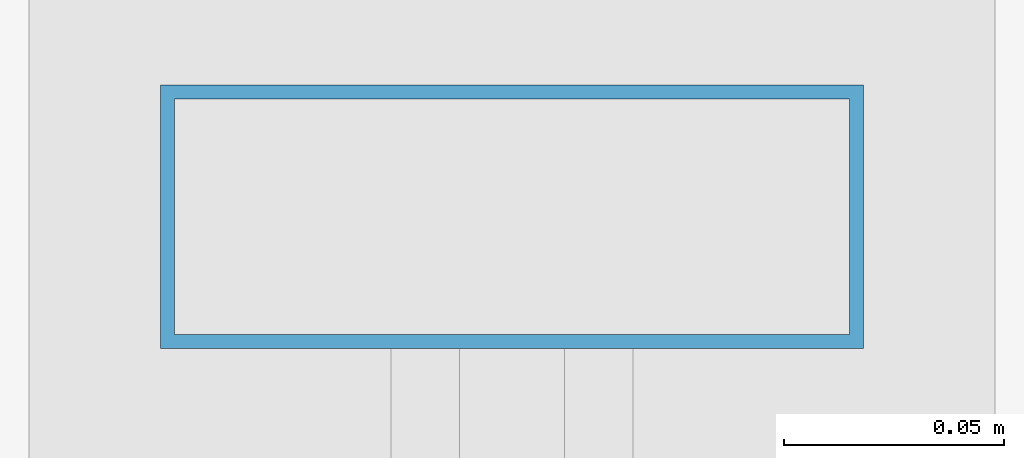
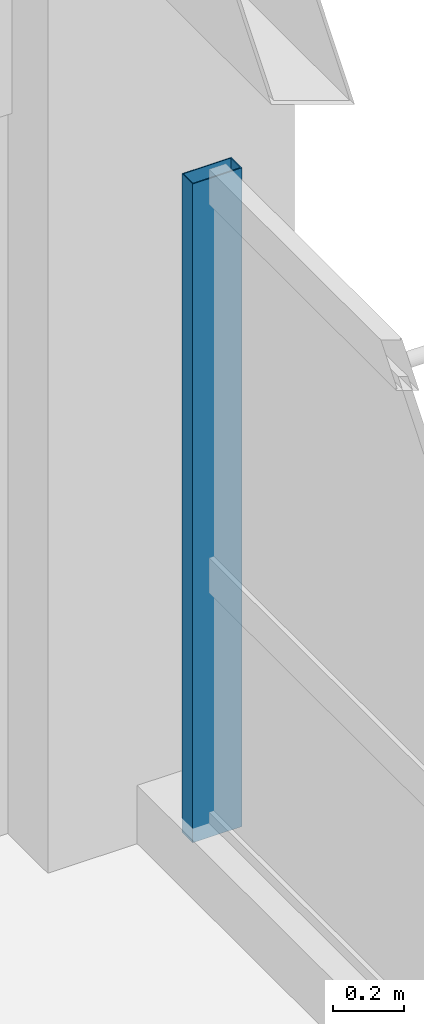
# One storey, part 19 of 27: 1 member, 1 element without a shape of its own.
"""IFC4 building model written with IfcOpenShell, lengths in metres."""

import ifcopenshell
import ifcopenshell.guid

model = None  # the IFC model being written
_history = None  # IfcOwnerHistory: only IFC2X3 demands one
_inside = {}  # id of a spatial element -> (the spatial element, [elements in it])
_under = {}  # id of a project, library or spatial element -> (it, [spatial elements below it])
_declared = {}  # id of a project -> (the project, [libraries it declares])
_typed = {}  # id of a type object -> (the type object, [elements of that type])
_made_of = {}  # id of a material, layer set ... -> (it, [elements and type objects made of it])


def new_model(schema):
    """Start an empty IFC model of exactly this schema.

    Asked for "IFC4X3", IfcOpenShell would pick the latest addendum, in which some entities
    have other attributes; the version numbers below select the first issue.
    IFC2X3 requires an IfcOwnerHistory on every rooted entity: one is made here for all.
    """
    global model, _history
    if schema == "IFC4X3":
        model = ifcopenshell.file(schema_version=(4, 3, 0, 0))
    else:
        model = ifcopenshell.file(schema=schema)
    _inside.clear()
    _under.clear()
    _declared.clear()
    _typed.clear()
    _made_of.clear()
    _history = None
    if model.schema == "IFC2X3":
        org = make("IfcOrganization", Name="unknown")
        user = make(
            "IfcPersonAndOrganization",
            ThePerson=make("IfcPerson", FamilyName="unknown"),
            TheOrganization=org,
        )
        app = make(
            "IfcApplication",
            ApplicationDeveloper=org,
            Version="unknown",
            ApplicationFullName="unknown",
            ApplicationIdentifier="unknown",
        )
        _history = make(
            "IfcOwnerHistory",
            OwningUser=user,
            OwningApplication=app,
            ChangeAction="ADDED",
            CreationDate=0,
        )
    return model


def make(cls, **values):
    """One entity of the class cls with the attributes given. An attribute that is None is left unset."""
    return model.create_entity(
        cls, **{name: value for name, value in values.items() if value is not None}
    )


def rooted(cls, **values):
    """An entity with a GlobalId (a new one), such as an element, a storey or a relation."""
    return make(cls, GlobalId=ifcopenshell.guid.new(), OwnerHistory=_history, **values)


def si_unit(unit_type, name, prefix=None):
    """IfcSIUnit, for example si_unit("LENGTHUNIT", "METRE", prefix="MILLI")."""
    return make("IfcSIUnit", UnitType=unit_type, Prefix=prefix, Name=name)


def assignment(units):
    """IfcUnitAssignment: the units of a project."""
    return None if units is None else make("IfcUnitAssignment", Units=units)


def point(xyz):
    """IfcCartesianPoint."""
    return None if xyz is None else make("IfcCartesianPoint", Coordinates=xyz)


def direction(xyz):
    """IfcDirection."""
    return None if xyz is None else make("IfcDirection", DirectionRatios=xyz)


def frame(location, z_axis=None, x_axis=None):
    """IfcAxis2Placement3D, a coordinate frame: its origin and axes. An axis left out is left unset."""
    return make(
        "IfcAxis2Placement3D",
        Location=point(location),
        Axis=direction(z_axis),
        RefDirection=direction(x_axis),
    )


def frame_2d(location, x_axis=None):
    """IfcAxis2Placement2D, a coordinate frame in the plane: its origin and x axis."""
    return make(
        "IfcAxis2Placement2D", Location=point(location), RefDirection=direction(x_axis)
    )


def origin():
    """The frame at (0, 0, 0) with its axes left unset."""
    return frame((0.0, 0.0, 0.0))


def origin_2d():
    """The frame at (0, 0) in the plane with its x axis left unset."""
    return frame_2d((0.0, 0.0))


def place(relative_to, where):
    """IfcLocalPlacement: puts the frame where relative to a parent placement (None: the world)."""
    return make(
        "IfcLocalPlacement", PlacementRelTo=relative_to, RelativePlacement=where
    )


def context(
    kind, dimensions, precision=None, world=None, true_north=None, identifier=None
):
    """IfcGeometricRepresentationContext, for example the 3D "Model" context."""
    return make(
        "IfcGeometricRepresentationContext",
        ContextIdentifier=identifier,
        ContextType=kind,
        CoordinateSpaceDimension=dimensions,
        Precision=precision,
        WorldCoordinateSystem=world,
        TrueNorth=true_north,
    )


def subcontext(parent, identifier, kind, view, scale=None):
    """IfcGeometricRepresentationSubContext, for example "Body" below "Model"."""
    return make(
        "IfcGeometricRepresentationSubContext",
        ContextIdentifier=identifier,
        ContextType=kind,
        ParentContext=parent,
        TargetScale=scale,
        TargetView=view,
    )


def project(units=None, contexts=None):
    """IfcProject with its units and contexts."""
    return rooted(
        "IfcProject",
        Name="project",
        RepresentationContexts=contexts,
        UnitsInContext=assignment(units),
    )


def spatial(cls, under=None, at=None, **own):
    """A site, building, storey or space (cls), placed at a placement, below another one or the project."""
    s = rooted(cls, ObjectPlacement=at, **own)
    if under is not None:
        _under.setdefault(under.id(), (under, []))[1].append(s)
    return s


def profile(cls, at=None, kind="AREA", **sizes):
    """A parametric profile (cls). Its sizes go by their IFC names, for example OverallWidth=200.0."""
    return make(cls, ProfileType=kind, Position=at, **sizes)


def hollow_rectangle(**sizes):
    """IfcRectangleHollowProfileDef."""
    return profile("IfcRectangleHollowProfileDef", **sizes)


def extrude(swept, where, along, depth):
    """IfcExtrudedAreaSolid: the profile swept, set in the frame where, extruded along a direction by depth."""
    return make(
        "IfcExtrudedAreaSolid",
        SweptArea=swept,
        Position=where,
        ExtrudedDirection=direction(along),
        Depth=depth,
    )


def shape(context_of_items, identifier, shape_type, items):
    """IfcShapeRepresentation: the items that make up one representation, for example the "Body"."""
    return make(
        "IfcShapeRepresentation",
        ContextOfItems=context_of_items,
        RepresentationIdentifier=identifier,
        RepresentationType=shape_type,
        Items=items,
    )


def material(Name=None, Category=None):
    """IfcMaterial."""
    return make("IfcMaterial", Name=Name, Category=Category)


def material_profile(
    of_material, cross_section, Name=None, Category=None, Priority=None
):
    """IfcMaterialProfile: a cross section and its material."""
    return make(
        "IfcMaterialProfile",
        Name=Name,
        Material=of_material,
        Profile=cross_section,
        Priority=Priority,
        Category=Category,
    )


def profile_set(profiles, Name=None, composite=None):
    """IfcMaterialProfileSet."""
    return make(
        "IfcMaterialProfileSet",
        Name=Name,
        MaterialProfiles=profiles,
        CompositeProfile=composite,
    )


def made_of(thing, what):
    """Note that an element or type object is made of a material, layer set ...; save() writes the relation."""
    if what is not None:
        _made_of.setdefault(what.id(), (what, []))[1].append(thing)
    return thing


def type_object(cls, material=None, **own):
    """A type object (cls), such as IfcWallType, which elements share."""
    return made_of(rooted(cls, **own), material)


def element(
    cls,
    number,
    at=None,
    inside=None,
    cuts=None,
    type_object=None,
    material=None,
    context=None,
    identifier="Body",
    shape_type=None,
    held_by="IfcProductDefinitionShape",
    body=None,
    shapes=None,
    **own,
):
    """One element of the class cls, such as IfcWall. Its Tag is "e" and its number.

    at: its placement. inside: the storey or other place that contains it. cuts: it is an
    opening in that element (IfcRelVoidsElement). A single representation is given by context,
    identifier, shape_type and body (its items); several are given by shapes. held_by: the class
    of the entity that holds the representations. save() writes the other relations.
    """
    e = rooted(cls, Tag="e%d" % number, ObjectPlacement=at, **own)
    if body is not None:
        shapes = [shape(context, identifier, shape_type, body)]
    if shapes is not None:
        e.Representation = make(held_by, Representations=shapes)
    if inside is not None:
        _inside.setdefault(inside.id(), (inside, []))[1].append(e)
    if cuts is not None:
        rooted(
            "IfcRelVoidsElement", RelatingBuildingElement=cuts, RelatedOpeningElement=e
        )
    if type_object is not None:
        _typed.setdefault(type_object.id(), (type_object, []))[1].append(e)
    return made_of(e, material)


def aggregate(whole, parts):
    """IfcRelAggregates: a whole, such as a stair, and the parts it consists of."""
    return rooted("IfcRelAggregates", RelatingObject=whole, RelatedObjects=parts)


def save(model, path):
    """Write the relations noted so far, then the file.

    IfcRelAggregates (storeys below a building ...), IfcRelContainedInSpatialStructure (elements
    in a storey), IfcRelDefinesByType, IfcRelAssociatesMaterial and IfcRelDeclares: one each for
    every whole, place, type object, material and project.
    """
    for whole, parts in _under.values():
        aggregate(whole, parts)
    for where, things in _inside.values():
        rooted(
            "IfcRelContainedInSpatialStructure",
            RelatedElements=things,
            RelatingStructure=where,
        )
    for kind, things in _typed.values():
        rooted("IfcRelDefinesByType", RelatedObjects=things, RelatingType=kind)
    for what, things in _made_of.values():
        rooted("IfcRelAssociatesMaterial", RelatedObjects=things, RelatingMaterial=what)
    for by, libraries in _declared.values():
        rooted("IfcRelDeclares", RelatingContext=by, RelatedDefinitions=libraries)
    model.write(path)


model = new_model("IFC4")

# Units and contexts
model_context = context("Model", 3, precision=1e-05, world=origin(), true_north=direction((0.0, 1.0)))
body_context = subcontext(model_context, "Body", "Model", "MODEL_VIEW")
ifc_project = project(units=[si_unit("LENGTHUNIT", "METRE"), si_unit("AREAUNIT", "SQUARE_METRE"), si_unit("VOLUMEUNIT", "CUBIC_METRE"), si_unit("PLANEANGLEUNIT", "RADIAN"), si_unit("MASSUNIT", "GRAM", prefix="KILO")], contexts=[model_context])

# Site, building, storey
site_placement = place(None, origin())
site = spatial("IfcSite", under=ifc_project, at=site_placement, CompositionType="ELEMENT")
building_placement = place(site_placement, origin())
building = spatial("IfcBuilding", under=site, at=building_placement, Name="Kaldorvane Square Convention Centre", CompositionType="ELEMENT")
storey_placement = place(building_placement, frame((0.0, 0.0, 38.399993896484375)))
storey = spatial("IfcBuildingStorey", under=building, at=storey_placement, Name="L08", CompositionType="ELEMENT", Elevation=38.399993896484375)

# Curtain wall, member
ifc_material = material(Name="Anodized Aluminum and Low-E Insulated Glazing", Category="aluminium")
curtain_wall_type = type_object("IfcCurtainWallType", Name="CW-UNI-HTL-A", PredefinedType="USERDEFINED", material=ifc_material)
curtain_wall_placement = place(storey_placement, origin())
curtain_wall = element("IfcCurtainWall", 1, at=curtain_wall_placement, inside=storey, type_object=curtain_wall_type, Name="Curtain Wall CW-10 (L08)", ObjectType="UNITISED GLAZING", PredefinedType="USERDEFINED")
ifc_material_profile = material_profile(ifc_material, hollow_rectangle(XDim=0.05999755859375, YDim=0.160003662109375, WallThickness=0.003204345703125, at=origin_2d()), Name="CWM-160X60")
ifc_profile_set = profile_set([ifc_material_profile], Name="Anodized Aluminum and Low-E Insulated Glazing")
member_type = type_object("IfcMemberType", Name="CW-MUL-160", PredefinedType="MULLION", material=ifc_profile_set)
member_placement = place(storey_placement, frame((84.0, 116.3699951171875, 0.1500091552734375), z_axis=(0.0, 0.0, 1.0), x_axis=(0.0, 1.0, 0.0)))
member = element("IfcMember", 2, at=member_placement, type_object=member_type, Name="CW-10 mullion 4", PredefinedType="MULLION", context=body_context, shape_type="SweptSolid", body=[
    extrude(hollow_rectangle(XDim=0.05999755859375, YDim=0.160003662109375, WallThickness=0.003204345703125, at=origin_2d()), origin(), (0.0, 0.0, 1.0), 2.2599945068359375),
])
aggregate(curtain_wall, [member])

save(model, "model.ifc")
